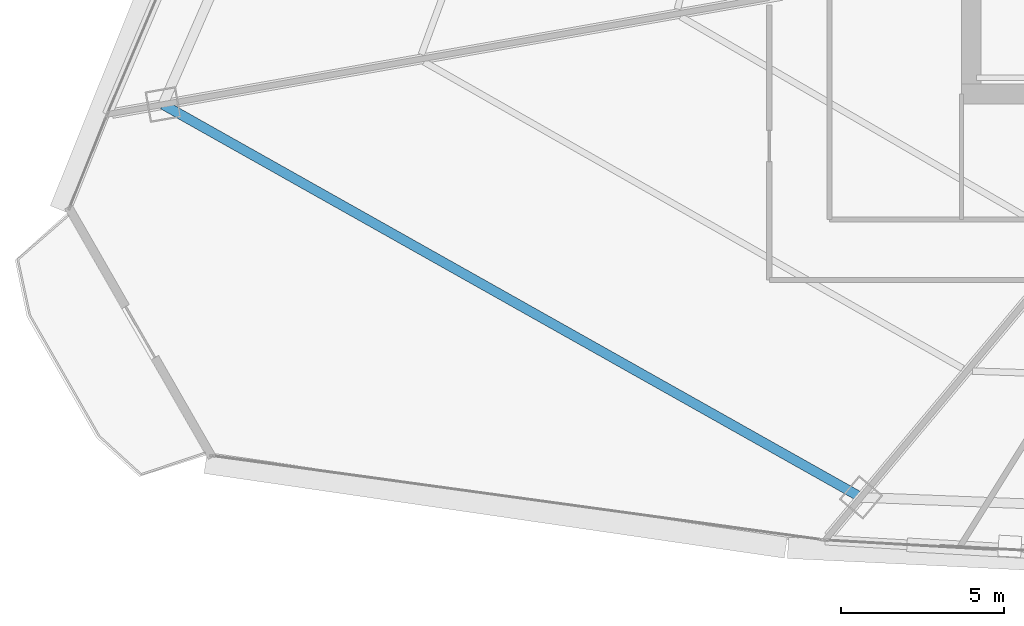
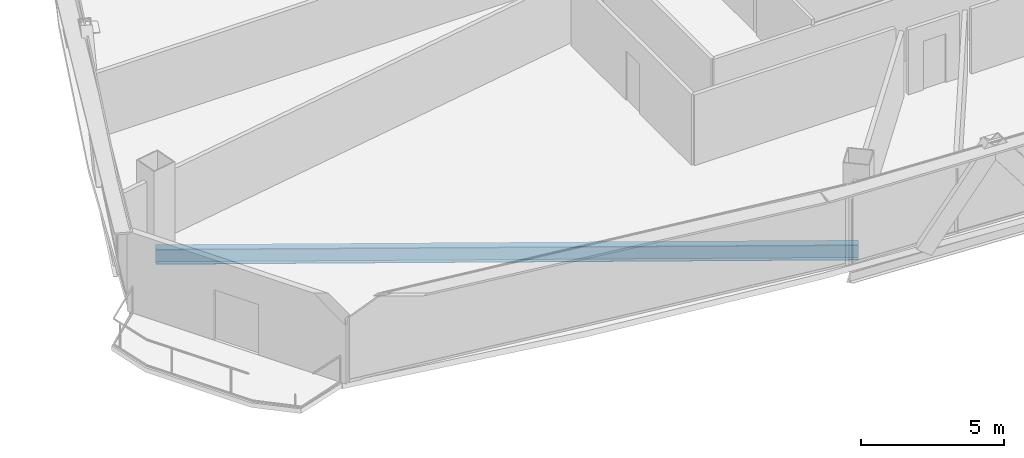
# One storey, part 5 of 39: 1 beam.
"""IFC4 building model written with IfcOpenShell, lengths in metres."""

from ifc_helpers import new_model, si_unit, direction, frame, origin, origin_2d, place, context, subcontext, project, spatial, i_section, extrude, source, transform, mapped, material, material_profile, profile_set, type_object, element, save


model = new_model("IFC4")

# Units and contexts
model_context = context("Model", 3, precision=1e-05, world=origin(), true_north=direction((0.0, 1.0)))
body_context = subcontext(model_context, "Body", "Model", "MODEL_VIEW")
ifc_project = project(units=[si_unit("LENGTHUNIT", "METRE"), si_unit("AREAUNIT", "SQUARE_METRE"), si_unit("VOLUMEUNIT", "CUBIC_METRE"), si_unit("PLANEANGLEUNIT", "RADIAN"), si_unit("MASSUNIT", "GRAM", prefix="KILO"), si_unit("THERMODYNAMICTEMPERATUREUNIT", "KELVIN"), si_unit("POWERUNIT", "WATT")], contexts=[model_context])

# Site, building, storey
site_placement = place(None, origin())
site = spatial("IfcSite", under=ifc_project, at=site_placement, CompositionType="ELEMENT")
building_placement = place(site_placement, origin())
building = spatial("IfcBuilding", under=site, at=building_placement, Name="Yunzhuo Pagoda Commons", CompositionType="ELEMENT")
storey_placement = place(building_placement, frame((0.0, 0.0, 148.22998046875)))
storey = spatial("IfcBuildingStorey", under=building, at=storey_placement, Name="L37", CompositionType="ELEMENT", Elevation=148.22998046875)

# Beam
ifc_material = material(Name="Structural steel Q355B", Category="steel")
ifc_material_profile = material_profile(ifc_material, i_section(OverallWidth=0.300048828125, OverallDepth=0.64990234375, WebThickness=0.012939453125, FlangeThickness=0.02197265625, at=origin_2d()), Name="Structural steel Q355B")
ifc_profile_set = profile_set([ifc_material_profile], Name="Structural steel Q355B")
beam_type = type_object("IfcBeamType", Name="B-RG2 Beam HN 650x300x13x22", PredefinedType="BEAM", material=ifc_profile_set)
shared_shape = source(origin(), body_context, "Body", "SweptSolid", [
    extrude(i_section(OverallWidth=0.300048828125, OverallDepth=0.64990234375, WebThickness=0.012939453125, FlangeThickness=0.02197265625, at=origin_2d()), origin(), (0.0, 0.0, 1.0), 24.56982421875),
])
beam_placement = place(storey_placement, frame((11.0029296875, 27.176513671875, -0.584716796875), z_axis=(0.871469103633, -0.490450406681, 0.0), x_axis=(0.490450406681, 0.871469103633, 0.0)))
element("IfcBeam", 1, at=beam_placement, inside=storey, type_object=beam_type, Name="L37 column-ring beam 12", PredefinedType="BEAM", context=body_context, shape_type="MappedRepresentation", body=[
    mapped(shared_shape, transform((0.0, 0.0, 0.0), scale=1.0)),
])

save(model, "model.ifc")
